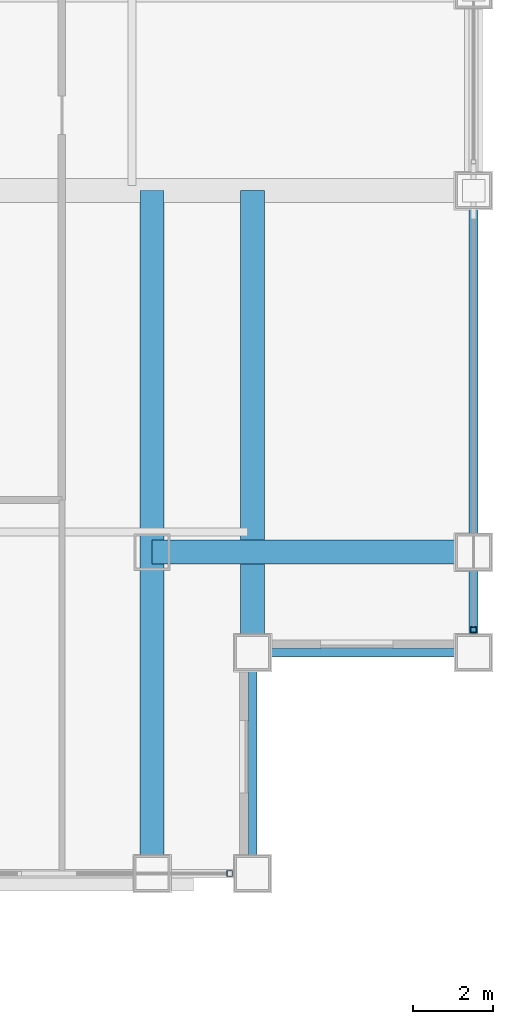
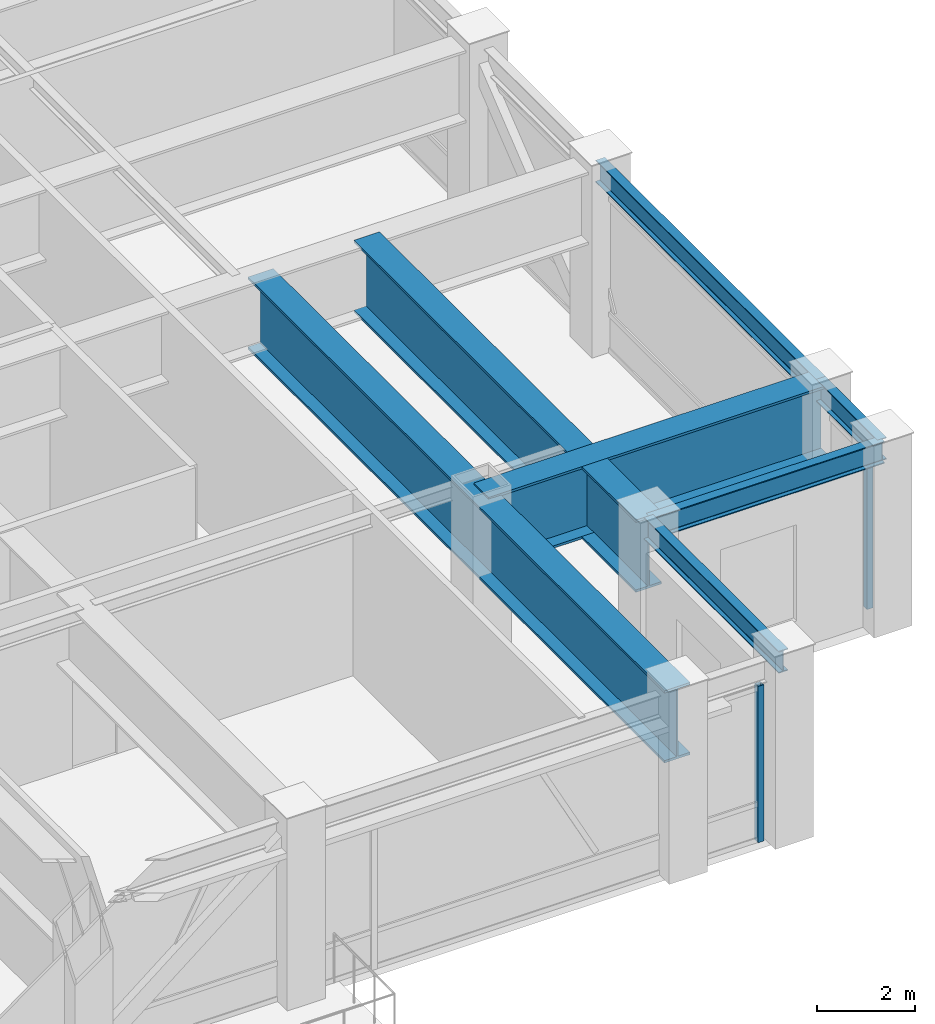
# One storey, part 10 of 31: 7 beams, 2 members, 2 elements without a shape of their own.
"""IFC4 building model written with IfcOpenShell, lengths in metres."""

from ifc_helpers import new_model, si_unit, direction, frame, origin, origin_2d, place, context, subcontext, project, spatial, hollow_rectangle, i_section, extrude, source, transform, mapped, material, material_profile, profile_set, type_object, element, aggregate, save


model = new_model("IFC4")

# Units and contexts
model_context = context("Model", 3, precision=1e-05, world=origin(), true_north=direction((0.0, 1.0)))
body_context = subcontext(model_context, "Body", "Model", "MODEL_VIEW")
ifc_project = project(units=[si_unit("LENGTHUNIT", "METRE"), si_unit("AREAUNIT", "SQUARE_METRE"), si_unit("VOLUMEUNIT", "CUBIC_METRE"), si_unit("PLANEANGLEUNIT", "RADIAN"), si_unit("MASSUNIT", "GRAM", prefix="KILO")], contexts=[model_context])

# Site, building, storey
site_placement = place(None, origin())
site = spatial("IfcSite", under=ifc_project, at=site_placement, CompositionType="ELEMENT")
building_placement = place(site_placement, origin())
building = spatial("IfcBuilding", under=site, at=building_placement, Name="Khorayat Bourse Tower", CompositionType="ELEMENT")
storey_placement = place(building_placement, frame((0.0, 0.0, 321.5)))
storey = spatial("IfcBuildingStorey", under=building, at=storey_placement, Name="L76", CompositionType="ELEMENT", Elevation=321.5)

# Beams
ifc_material_1 = material(Name="Steel EN 10025-4 S460M", Category="steel")
ifc_material_profile_1 = material_profile(ifc_material_1, i_section(OverallWidth=0.60009765625, OverallDepth=1.800048828125, WebThickness=0.031982421875, FlangeThickness=0.06005859375, at=origin_2d()), Name="PG 1800x600x32x60")
ifc_profile_set_1 = profile_set([ifc_material_profile_1], Name="Steel EN 10025-4 S460M")
beam_type_1 = type_object("IfcBeamType", Name="BM-TR-1800", PredefinedType="BEAM", material=ifc_profile_set_1)
shared_shape_1 = source(origin(), body_context, "Body", "SweptSolid", [
    extrude(i_section(OverallWidth=0.60009765625, OverallDepth=1.800048828125, WebThickness=0.031982421875, FlangeThickness=0.06005859375, at=origin_2d()), origin(), (0.0, 0.0, 1.0), 8.0),
])
beam_1_placement = place(storey_placement, frame((20.0, -20.0, 3.639892578125), z_axis=(1.0, 0.0, 0.0), x_axis=(0.0, 1.0, 0.0)))
element("IfcBeam", 1, at=beam_1_placement, inside=storey, type_object=beam_type_1, Name="L76 BM-TR-1800 BM-L76-CNRX-092", PredefinedType="BEAM", context=body_context, shape_type="MappedRepresentation", body=[
    mapped(shared_shape_1, transform((0.0, 0.0, 0.0), scale=1.0)),
])
shared_shape_2 = source(origin(), body_context, "Body", "SweptSolid", [
    extrude(i_section(OverallWidth=0.60009765625, OverallDepth=1.800048828125, WebThickness=0.031982421875, FlangeThickness=0.06005859375, at=origin_2d()), origin(), (0.0, 0.0, 1.0), 17.0),
])
beam_2_placement = place(storey_placement, frame((20.0, -28.0, 3.60009765625), z_axis=(0.0, 1.0, 0.0), x_axis=(-1.0, 0.0, 0.0)))
element("IfcBeam", 2, at=beam_2_placement, inside=storey, type_object=beam_type_1, Name="L76 BM-TR-1800 BM-L76-CNRY-086", PredefinedType="BEAM", context=body_context, shape_type="MappedRepresentation", body=[
    mapped(shared_shape_2, transform((0.0, 0.0, 0.0), scale=1.0)),
])
ifc_material_2 = material(Name="Steel ASTM A992 Grade 50", Category="steel")
ifc_material_profile_2 = material_profile(ifc_material_2, i_section(OverallWidth=0.214111328125, OverallDepth=0.549072265625, WebThickness=0.0146484375, FlangeThickness=0.023681640625, FilletRadius=0.013916015625, at=origin_2d()), Name="W530X138")
ifc_profile_set_2 = profile_set([ifc_material_profile_2], Name="Steel ASTM A992 Grade 50")
beam_type_2 = type_object("IfcBeamType", Name="BM-SPAN-530", PredefinedType="SPANDREL", material=ifc_profile_set_2)
shared_shape_3 = source(origin(), body_context, "Body", "SweptSolid", [
    extrude(i_section(OverallWidth=0.214111328125, OverallDepth=0.549072265625, WebThickness=0.0146484375, FlangeThickness=0.023681640625, FilletRadius=0.013916015625, at=origin_2d()), origin(), (0.0, 0.0, 1.0), 2.5),
])
beam_3_placement = place(storey_placement, frame((28.0, -22.5, 4.265380859375), z_axis=(0.0, 1.0, 0.0), x_axis=(-1.0, 0.0, 0.0)))
element("IfcBeam", 3, at=beam_3_placement, inside=storey, type_object=beam_type_2, Name="L76 BM-SPAN-530 BM-L76-SPN-034", PredefinedType="SPANDREL", context=body_context, shape_type="MappedRepresentation", body=[
    mapped(shared_shape_3, transform((0.0, 0.0, 0.0), scale=1.0)),
])
shared_shape_4 = source(origin(), body_context, "Body", "SweptSolid", [
    extrude(i_section(OverallWidth=0.214111328125, OverallDepth=0.549072265625, WebThickness=0.0146484375, FlangeThickness=0.023681640625, FilletRadius=0.013916015625, at=origin_2d()), origin(), (0.0, 0.0, 1.0), 9.0),
])
beam_4_placement = place(storey_placement, frame((28.0, -20.0, 4.265380859375), z_axis=(0.0, 1.0, 0.0), x_axis=(-1.0, 0.0, 0.0)))
element("IfcBeam", 4, at=beam_4_placement, inside=storey, type_object=beam_type_2, Name="L76 BM-SPAN-530 BM-L76-SPN-035", PredefinedType="SPANDREL", context=body_context, shape_type="MappedRepresentation", body=[
    mapped(shared_shape_4, transform((0.0, 0.0, 0.0), scale=1.0)),
])
shared_shape_5 = source(origin(), body_context, "Body", "SweptSolid", [
    extrude(i_section(OverallWidth=0.214111328125, OverallDepth=0.549072265625, WebThickness=0.0146484375, FlangeThickness=0.023681640625, FilletRadius=0.013916015625, at=origin_2d()), origin(), (0.0, 0.0, 1.0), 5.5),
])
for number, where, z_axis, x_axis, name in (
    (5, (22.5, -28.0, 4.265380859375), (0.0, 1.0, 0.0), (-1.0, 0.0, 0.0), "L76 BM-SPAN-530 BM-L76-SPN-032"),
    (6, (22.5, -22.5, 4.265380859375), (1.0, 0.0, 0.0), (0.0, 1.0, 0.0), "L76 BM-SPAN-530 BM-L76-SPN-033"),
):
    element("IfcBeam", number, at=place(storey_placement, frame(where, z_axis=z_axis, x_axis=x_axis)), inside=storey, type_object=beam_type_2, Name=name, PredefinedType="SPANDREL", context=body_context, shape_type="MappedRepresentation", body=[
        mapped(shared_shape_5, transform((0.0, 0.0, 0.0), scale=1.0)),
    ])
shared_shape_6 = source(origin(), body_context, "Body", "SweptSolid", [
    extrude(i_section(OverallWidth=0.60009765625, OverallDepth=1.800048828125, WebThickness=0.031982421875, FlangeThickness=0.06005859375, at=origin_2d()), origin(), (0.0, 0.0, 1.0), 11.5),
])
beam_5_placement = place(storey_placement, frame((22.5, -22.5, 3.639892578125), z_axis=(0.0, 1.0, 0.0), x_axis=(-1.0, 0.0, 0.0)))
element("IfcBeam", 7, at=beam_5_placement, inside=storey, type_object=beam_type_1, Name="L76 BM-TR-1800 BM-L76-CNRY-090", PredefinedType="BEAM", context=body_context, shape_type="MappedRepresentation", body=[
    mapped(shared_shape_6, transform((0.0, 0.0, 0.0), scale=1.0)),
])

# Curtain wall, member
ifc_material_3 = material(Name="Aluminium EN AW-6063 T6", Category="aluminium")
curtain_wall_type = type_object("IfcCurtainWallType", Name="CW-SYS-05", PredefinedType="NOTDEFINED", material=ifc_material_3)
curtain_wall_1_placement = place(storey_placement, origin())
curtain_wall_1 = element("IfcCurtainWall", 8, at=curtain_wall_1_placement, inside=storey, type_object=curtain_wall_type, Name="L76 Curtain Wall CW-L76-S2", PredefinedType="NOTDEFINED")
ifc_material_profile_3 = material_profile(ifc_material_3, hollow_rectangle(XDim=0.139892578125, YDim=0.139892578125, WallThickness=0.006103515625, at=origin_2d()), Name="ALU 140x140x6")
ifc_profile_set_3 = profile_set([ifc_material_profile_3], Name="Aluminium EN AW-6063 T6")
member_type = type_object("IfcMemberType", Name="CWM-VERT-140", PredefinedType="MULLION", material=ifc_profile_set_3)
shared_shape_7 = source(origin(), body_context, "Body", "SweptSolid", [
    extrude(hollow_rectangle(XDim=0.139892578125, YDim=0.139892578125, WallThickness=0.006103515625, at=origin_2d()), origin(), (0.0, 0.0, 1.0), 3.889892578125),
])
member_1_placement = place(storey_placement, frame((21.929931640625, -28.0, 0.0), z_axis=(0.0, 0.0, 1.0), x_axis=(0.0, 1.0, 0.0)))
member_1 = element("IfcMember", 9, at=member_1_placement, type_object=member_type, Name="CW-L76-S2 Vertical Mullion 3", PredefinedType="MULLION", context=body_context, shape_type="MappedRepresentation", body=[
    mapped(shared_shape_7, transform((0.0, 0.0, 0.0), scale=1.0)),
])
aggregate(curtain_wall_1, [member_1])

curtain_wall_2_placement = place(storey_placement, origin())
curtain_wall_2 = element("IfcCurtainWall", 10, at=curtain_wall_2_placement, inside=storey, type_object=curtain_wall_type, Name="L76 Curtain Wall CW-L76-E1", PredefinedType="NOTDEFINED")
member_2_placement = place(storey_placement, frame((28.0, -21.929931640625, 0.0), z_axis=(0.0, 0.0, 1.0), x_axis=(-1.0, 0.0, 0.0)))
member_2 = element("IfcMember", 11, at=member_2_placement, type_object=member_type, Name="CW-L76-E1 Vertical Mullion 1", PredefinedType="MULLION", context=body_context, shape_type="MappedRepresentation", body=[
    mapped(shared_shape_7, transform((0.0, 0.0, 0.0), scale=1.0)),
])
aggregate(curtain_wall_2, [member_2])

save(model, "model.ifc")
